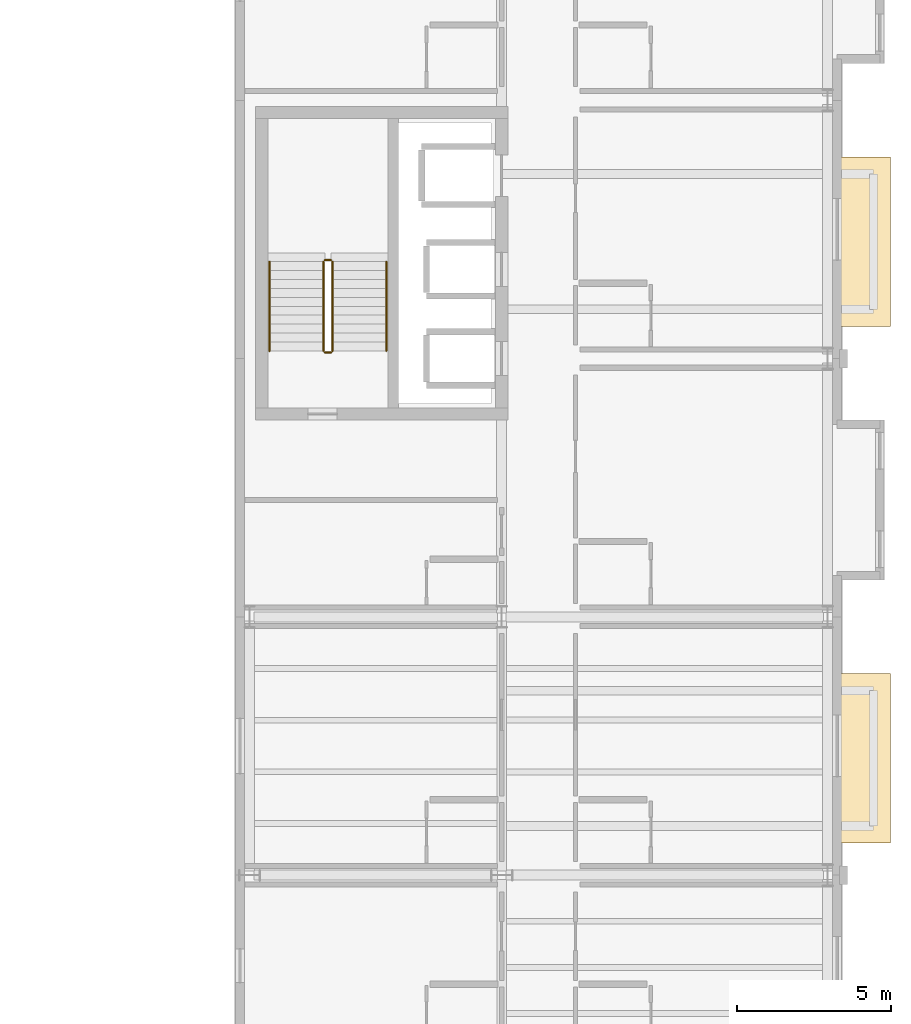
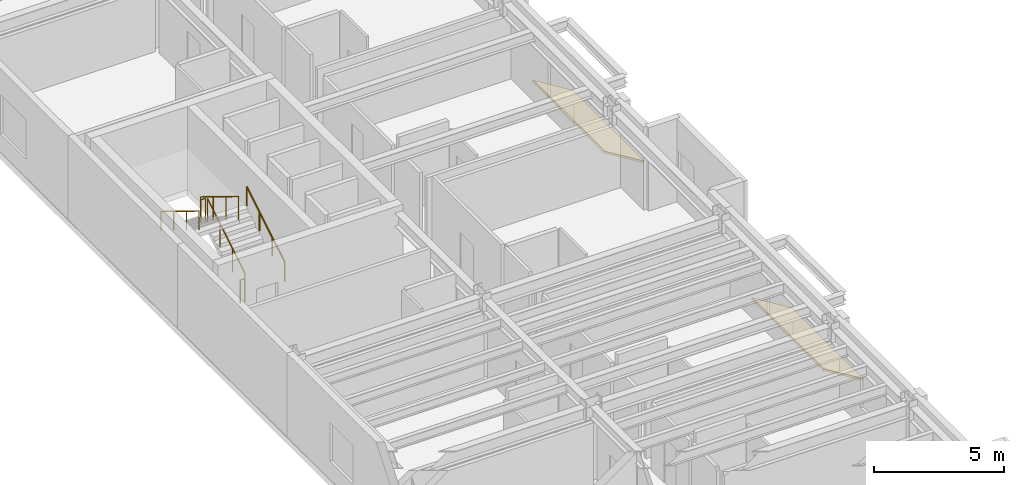
# One storey, part 46 of 46: 6 railings, 2 coverings.
"""IFC4 building model written with IfcOpenShell, lengths in metres."""

from ifc_helpers import new_model, si_unit, direction, frame, origin, origin_2d, place, context, subcontext, project, spatial, polyline, circle, outline, extrude, material, layer, layer_set, type_object, element, save


model = new_model("IFC4")

# Units and contexts
model_context = context("Model", 3, precision=1e-05, world=origin(), true_north=direction((0.0, 1.0)))
body_context = subcontext(model_context, "Body", "Model", "MODEL_VIEW")
ifc_project = project(units=[si_unit("LENGTHUNIT", "METRE"), si_unit("AREAUNIT", "SQUARE_METRE"), si_unit("VOLUMEUNIT", "CUBIC_METRE"), si_unit("PLANEANGLEUNIT", "RADIAN"), si_unit("MASSUNIT", "GRAM", prefix="KILO")], contexts=[model_context])

# Site, building, storey
site_placement = place(None, origin())
site = spatial("IfcSite", under=ifc_project, at=site_placement, CompositionType="ELEMENT")
building_placement = place(site_placement, origin())
building = spatial("IfcBuilding", under=site, at=building_placement, Name="Sollismere Congress Hotel", CompositionType="ELEMENT")
storey_placement = place(building_placement, frame((0.0, 0.0, 19.5)))
storey = spatial("IfcBuildingStorey", under=building, at=storey_placement, Name="L04", CompositionType="ELEMENT", Elevation=19.5)

# Coverings
ifc_material_1 = material(Name="Standing-Seam Titanium-Zinc Roof Assembly")
ifc_layer = layer(ifc_material_1, 0.054931640625, Name="Standing-Seam Titanium-Zinc Roof Assembly")
ifc_layer_set = layer_set([ifc_layer], Name="Standing-Seam Titanium-Zinc Roof Assembly")
covering_type = type_object("IfcCoveringType", Name="CV-RFZNC", PredefinedType="ROOFING", material=ifc_layer_set)
for number, where, z_axis, x_axis, name in (
    (1, (166.258056640625, 25.85009765625, 0.716796875), (0.525123792841, 0.0, 0.851025852834), (0.851025852834, 0.0, -0.525123792841), "Cikma bay sacak hood SL-CKH-06"),
    (2, (166.258056640625, 42.64990234375, 0.716796875), (0.525123792841, 0.0, 0.851025852834), (0.851025852834, 0.0, -0.525123792841), "Cikma bay sacak hood SL-CKH-07"),
):
    element("IfcCovering", number, at=place(storey_placement, frame(where, z_axis=z_axis, x_axis=x_axis)), inside=storey, type_object=covering_type, Name=name, PredefinedType="ROOFING", context=body_context, shape_type="SweptSolid", body=[
        extrude(outline(polyline([(0.0, 0.0), (2.056396484375, 0.0), (2.056396484375, 5.5), (0.0, 5.5), (0.0, 0.0)])), origin(), (0.0, 0.0, 1.0), 0.080078125),
    ])

# Railings
ifc_material_2 = material(Name="Steel ASTM A500 Grade C", Category="steel")
railing_type_1 = type_object("IfcRailingType", Name="RL-GRD112", PredefinedType="GUARDRAIL", material=ifc_material_2)
railing_1_placement = place(storey_placement, frame((149.89990234375, 41.85009765625, 0.17724609375)))
element("IfcRailing", 3, at=railing_1_placement, inside=storey, type_object=railing_type_1, Name="RLG-RG-ST-03-L04-1", PredefinedType="GUARDRAIL", context=body_context, shape_type="SweptSolid", body=[
    extrude(circle(Radius=0.02392578125, at=origin_2d()), frame((0.0, 0.0, 1.09619140625), z_axis=(0.0, 0.853210801645, 0.521566225858), x_axis=(-1.0, 0.0, 0.0)), (0.0, 0.0, 1.0), 3.39892578125),
    extrude(circle(Radius=0.02099609375, at=origin_2d()), origin(), (0.0, 0.0, 1.0), 1.072021484375),
    extrude(circle(Radius=0.02099609375, at=origin_2d()), frame((0.0, 0.966552734375, 0.5908203125)), (0.0, 0.0, 1.0), 1.072021484375),
    extrude(circle(Radius=0.02099609375, at=origin_2d()), frame((0.0, 1.933349609375, 1.181884765625)), (0.0, 0.0, 1.0), 1.072021484375),
    extrude(circle(Radius=0.02099609375, at=origin_2d()), frame((0.0, 2.89990234375, 1.772705078125)), (0.0, 0.0, 1.0), 1.072021484375),
])
railing_2_placement = place(storey_placement, frame((149.85009765625, 44.800048828125, 1.949951171875)))
element("IfcRailing", 4, at=railing_2_placement, inside=storey, type_object=railing_type_1, Name="RLG-RG-ST-03-L04-2", PredefinedType="GUARDRAIL", context=body_context, shape_type="SweptSolid", body=[
    extrude(circle(Radius=0.02392578125, at=origin_2d()), frame((0.0, 0.0, 1.09619140625), z_axis=(-1.0, 0.0, 0.0), x_axis=(0.0, -1.0, 0.0)), (0.0, 0.0, 1.0), 0.2001953125),
    extrude(circle(Radius=0.02099609375, at=origin_2d()), origin(), (0.0, 0.0, 1.0), 1.072021484375),
    extrude(circle(Radius=0.02099609375, at=origin_2d()), frame((-0.2001953125, 0.0, 0.0)), (0.0, 0.0, 1.0), 1.072021484375),
])
railing_3_placement = place(storey_placement, frame((149.60009765625, 44.75, 2.127197265625)))
element("IfcRailing", 5, at=railing_3_placement, inside=storey, type_object=railing_type_1, Name="RLG-RG-ST-03-L04-3", PredefinedType="GUARDRAIL", context=body_context, shape_type="SweptSolid", body=[
    extrude(circle(Radius=0.02392578125, at=origin_2d()), frame((0.0, 0.0, 1.09619140625), z_axis=(0.0, -0.853210801645, 0.521566225858), x_axis=(1.0, 0.0, 0.0)), (0.0, 0.0, 1.0), 3.39892578125),
    extrude(circle(Radius=0.02099609375, at=origin_2d()), origin(), (0.0, 0.0, 1.0), 1.072021484375),
    extrude(circle(Radius=0.02099609375, at=origin_2d()), frame((0.0, -0.966552734375, 0.5908203125)), (0.0, 0.0, 1.0), 1.072021484375),
    extrude(circle(Radius=0.02099609375, at=origin_2d()), frame((0.0, -1.933349609375, 1.181884765625)), (0.0, 0.0, 1.0), 1.072021484375),
    extrude(circle(Radius=0.02099609375, at=origin_2d()), frame((0.0, -2.89990234375, 1.772705078125)), (0.0, 0.0, 1.0), 1.072021484375),
])
railing_4_placement = place(storey_placement, frame((149.85009765625, 41.800048828125, 0.0)))
element("IfcRailing", 6, at=railing_4_placement, inside=storey, type_object=railing_type_1, Name="RLG-RG-ST-03-L04-4", PredefinedType="GUARDRAIL", context=body_context, shape_type="SweptSolid", body=[
    extrude(circle(Radius=0.02392578125, at=origin_2d()), frame((0.0, 0.0, 1.09619140625), z_axis=(-1.0, 0.0, 0.0), x_axis=(0.0, -1.0, 0.0)), (0.0, 0.0, 1.0), 0.2001953125),
    extrude(circle(Radius=0.02099609375, at=origin_2d()), origin(), (0.0, 0.0, 1.0), 1.072021484375),
    extrude(circle(Radius=0.02099609375, at=origin_2d()), frame((-0.2001953125, 0.0, 0.0)), (0.0, 0.0, 1.0), 1.072021484375),
])
ifc_material_3 = material(Name="Brushed Architectural Bronze")
railing_type_2 = type_object("IfcRailingType", Name="RL-HND90", PredefinedType="HANDRAIL", material=ifc_material_3)
railing_5_placement = place(storey_placement, frame((151.64990234375, 41.85009765625, 0.33056640625)))
element("IfcRailing", 7, at=railing_5_placement, inside=storey, type_object=railing_type_2, Name="RLG-RH-ST-03-L04-1", PredefinedType="HANDRAIL", context=body_context, shape_type="SweptSolid", body=[
    extrude(circle(Radius=0.02392578125, at=origin_2d()), frame((0.0, 0.0, 0.8759765625), z_axis=(0.0, 0.853210801645, 0.521566225858), x_axis=(-1.0, 0.0, 0.0)), (0.0, 0.0, 1.0), 3.39892578125),
    extrude(circle(Radius=0.02099609375, at=origin_2d()), origin(), (0.0, 0.0, 1.0), 0.851806640625),
    extrude(circle(Radius=0.02099609375, at=origin_2d()), frame((0.0, 0.966552734375, 0.5908203125)), (0.0, 0.0, 1.0), 0.851806640625),
    extrude(circle(Radius=0.02099609375, at=origin_2d()), frame((0.0, 1.933349609375, 1.181884765625)), (0.0, 0.0, 1.0), 0.851806640625),
    extrude(circle(Radius=0.02099609375, at=origin_2d()), frame((0.0, 2.89990234375, 1.772705078125)), (0.0, 0.0, 1.0), 0.851806640625),
])
railing_6_placement = place(storey_placement, frame((147.85009765625, 44.75, 2.280517578125)))
element("IfcRailing", 8, at=railing_6_placement, inside=storey, type_object=railing_type_2, Name="RLG-RH-ST-03-L04-2", PredefinedType="HANDRAIL", context=body_context, shape_type="SweptSolid", body=[
    extrude(circle(Radius=0.02392578125, at=origin_2d()), frame((0.0, 0.0, 0.8759765625), z_axis=(0.0, -0.853210801645, 0.521566225858), x_axis=(1.0, 0.0, 0.0)), (0.0, 0.0, 1.0), 3.39892578125),
    extrude(circle(Radius=0.02099609375, at=origin_2d()), origin(), (0.0, 0.0, 1.0), 0.851806640625),
    extrude(circle(Radius=0.02099609375, at=origin_2d()), frame((0.0, -0.966552734375, 0.5908203125)), (0.0, 0.0, 1.0), 0.851806640625),
    extrude(circle(Radius=0.02099609375, at=origin_2d()), frame((0.0, -1.933349609375, 1.181884765625)), (0.0, 0.0, 1.0), 0.851806640625),
    extrude(circle(Radius=0.02099609375, at=origin_2d()), frame((0.0, -2.89990234375, 1.772705078125)), (0.0, 0.0, 1.0), 0.851806640625),
])

save(model, "model.ifc")
